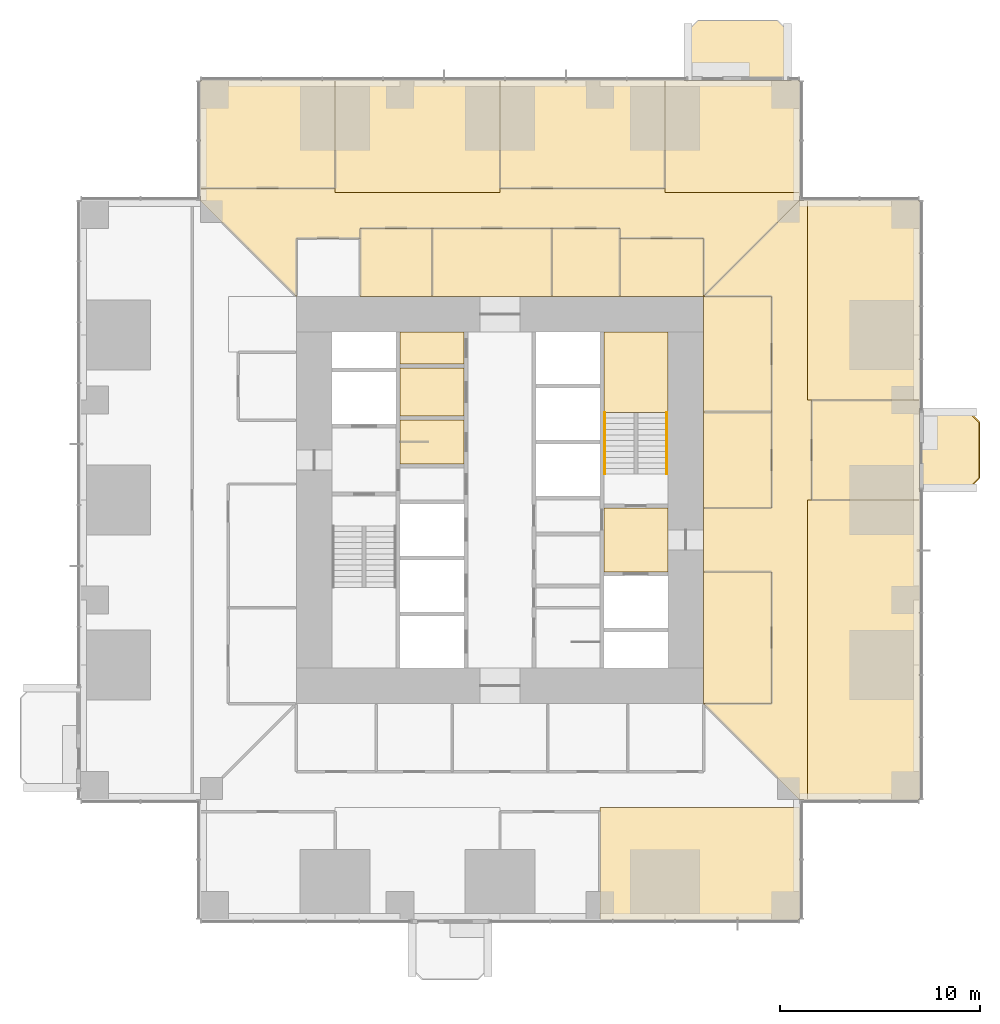
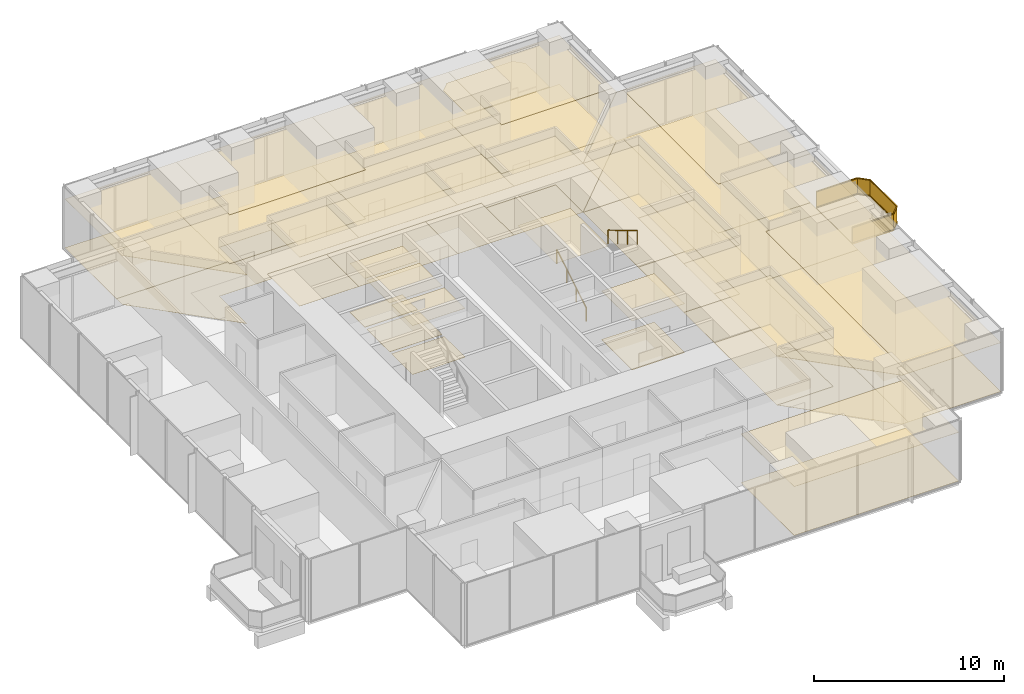
# One storey, part 16 of 18: 45 coverings, 3 railings.
"""IFC4 building model written with IfcOpenShell, lengths in metres."""

import ifcopenshell
import ifcopenshell.guid

model = None  # the IFC model being written
_history = None  # IfcOwnerHistory: only IFC2X3 demands one
_inside = {}  # id of a spatial element -> (the spatial element, [elements in it])
_under = {}  # id of a project, library or spatial element -> (it, [spatial elements below it])
_declared = {}  # id of a project -> (the project, [libraries it declares])
_typed = {}  # id of a type object -> (the type object, [elements of that type])
_made_of = {}  # id of a material, layer set ... -> (it, [elements and type objects made of it])


def new_model(schema):
    """Start an empty IFC model of exactly this schema.

    Asked for "IFC4X3", IfcOpenShell would pick the latest addendum, in which some entities
    have other attributes; the version numbers below select the first issue.
    IFC2X3 requires an IfcOwnerHistory on every rooted entity: one is made here for all.
    """
    global model, _history
    if schema == "IFC4X3":
        model = ifcopenshell.file(schema_version=(4, 3, 0, 0))
    else:
        model = ifcopenshell.file(schema=schema)
    _inside.clear()
    _under.clear()
    _declared.clear()
    _typed.clear()
    _made_of.clear()
    _history = None
    if model.schema == "IFC2X3":
        org = make("IfcOrganization", Name="unknown")
        user = make(
            "IfcPersonAndOrganization",
            ThePerson=make("IfcPerson", FamilyName="unknown"),
            TheOrganization=org,
        )
        app = make(
            "IfcApplication",
            ApplicationDeveloper=org,
            Version="unknown",
            ApplicationFullName="unknown",
            ApplicationIdentifier="unknown",
        )
        _history = make(
            "IfcOwnerHistory",
            OwningUser=user,
            OwningApplication=app,
            ChangeAction="ADDED",
            CreationDate=0,
        )
    return model


def make(cls, **values):
    """One entity of the class cls with the attributes given. An attribute that is None is left unset."""
    return model.create_entity(
        cls, **{name: value for name, value in values.items() if value is not None}
    )


def rooted(cls, **values):
    """An entity with a GlobalId (a new one), such as an element, a storey or a relation."""
    return make(cls, GlobalId=ifcopenshell.guid.new(), OwnerHistory=_history, **values)


def si_unit(unit_type, name, prefix=None):
    """IfcSIUnit, for example si_unit("LENGTHUNIT", "METRE", prefix="MILLI")."""
    return make("IfcSIUnit", UnitType=unit_type, Prefix=prefix, Name=name)


def assignment(units):
    """IfcUnitAssignment: the units of a project."""
    return None if units is None else make("IfcUnitAssignment", Units=units)


def point(xyz):
    """IfcCartesianPoint."""
    return None if xyz is None else make("IfcCartesianPoint", Coordinates=xyz)


def direction(xyz):
    """IfcDirection."""
    return None if xyz is None else make("IfcDirection", DirectionRatios=xyz)


def frame(location, z_axis=None, x_axis=None):
    """IfcAxis2Placement3D, a coordinate frame: its origin and axes. An axis left out is left unset."""
    return make(
        "IfcAxis2Placement3D",
        Location=point(location),
        Axis=direction(z_axis),
        RefDirection=direction(x_axis),
    )


def frame_2d(location, x_axis=None):
    """IfcAxis2Placement2D, a coordinate frame in the plane: its origin and x axis."""
    return make(
        "IfcAxis2Placement2D", Location=point(location), RefDirection=direction(x_axis)
    )


def origin():
    """The frame at (0, 0, 0) with its axes left unset."""
    return frame((0.0, 0.0, 0.0))


def origin_2d():
    """The frame at (0, 0) in the plane with its x axis left unset."""
    return frame_2d((0.0, 0.0))


def place(relative_to, where):
    """IfcLocalPlacement: puts the frame where relative to a parent placement (None: the world)."""
    return make(
        "IfcLocalPlacement", PlacementRelTo=relative_to, RelativePlacement=where
    )


def context(
    kind, dimensions, precision=None, world=None, true_north=None, identifier=None
):
    """IfcGeometricRepresentationContext, for example the 3D "Model" context."""
    return make(
        "IfcGeometricRepresentationContext",
        ContextIdentifier=identifier,
        ContextType=kind,
        CoordinateSpaceDimension=dimensions,
        Precision=precision,
        WorldCoordinateSystem=world,
        TrueNorth=true_north,
    )


def subcontext(parent, identifier, kind, view, scale=None):
    """IfcGeometricRepresentationSubContext, for example "Body" below "Model"."""
    return make(
        "IfcGeometricRepresentationSubContext",
        ContextIdentifier=identifier,
        ContextType=kind,
        ParentContext=parent,
        TargetScale=scale,
        TargetView=view,
    )


def project(units=None, contexts=None):
    """IfcProject with its units and contexts."""
    return rooted(
        "IfcProject",
        Name="project",
        RepresentationContexts=contexts,
        UnitsInContext=assignment(units),
    )


def spatial(cls, under=None, at=None, **own):
    """A site, building, storey or space (cls), placed at a placement, below another one or the project."""
    s = rooted(cls, ObjectPlacement=at, **own)
    if under is not None:
        _under.setdefault(under.id(), (under, []))[1].append(s)
    return s


def polyline(points):
    """IfcPolyline through the points."""
    return make("IfcPolyline", Points=[point(p) for p in points])


def profile(cls, at=None, kind="AREA", **sizes):
    """A parametric profile (cls). Its sizes go by their IFC names, for example OverallWidth=200.0."""
    return make(cls, ProfileType=kind, Position=at, **sizes)


def rectangle(**sizes):
    """IfcRectangleProfileDef."""
    return profile("IfcRectangleProfileDef", **sizes)


def circle(**sizes):
    """IfcCircleProfileDef."""
    return profile("IfcCircleProfileDef", **sizes)


def outline(outer, holes=None, kind="AREA"):
    """IfcArbitraryClosedProfileDef: a profile drawn as a closed curve; with holes, ...WithVoids."""
    if holes is None:
        return make("IfcArbitraryClosedProfileDef", ProfileType=kind, OuterCurve=outer)
    return make(
        "IfcArbitraryProfileDefWithVoids",
        ProfileType=kind,
        OuterCurve=outer,
        InnerCurves=holes,
    )


def extrude(swept, where, along, depth):
    """IfcExtrudedAreaSolid: the profile swept, set in the frame where, extruded along a direction by depth."""
    return make(
        "IfcExtrudedAreaSolid",
        SweptArea=swept,
        Position=where,
        ExtrudedDirection=direction(along),
        Depth=depth,
    )


def shape(context_of_items, identifier, shape_type, items):
    """IfcShapeRepresentation: the items that make up one representation, for example the "Body"."""
    return make(
        "IfcShapeRepresentation",
        ContextOfItems=context_of_items,
        RepresentationIdentifier=identifier,
        RepresentationType=shape_type,
        Items=items,
    )


def material(Name=None, Category=None):
    """IfcMaterial."""
    return make("IfcMaterial", Name=Name, Category=Category)


def layer(
    of_material, thickness, ventilated=None, Name=None, Category=None, Priority=None
):
    """IfcMaterialLayer: one layer of a wall or slab, of a material (None: an air gap)."""
    return make(
        "IfcMaterialLayer",
        Material=of_material,
        LayerThickness=thickness,
        IsVentilated=ventilated,
        Name=Name,
        Category=Category,
        Priority=Priority,
    )


def layer_set(layers, Name=None):
    """IfcMaterialLayerSet."""
    return make("IfcMaterialLayerSet", MaterialLayers=layers, LayerSetName=Name)


def made_of(thing, what):
    """Note that an element or type object is made of a material, layer set ...; save() writes the relation."""
    if what is not None:
        _made_of.setdefault(what.id(), (what, []))[1].append(thing)
    return thing


def type_object(cls, material=None, **own):
    """A type object (cls), such as IfcWallType, which elements share."""
    return made_of(rooted(cls, **own), material)


def element(
    cls,
    number,
    at=None,
    inside=None,
    cuts=None,
    type_object=None,
    material=None,
    context=None,
    identifier="Body",
    shape_type=None,
    held_by="IfcProductDefinitionShape",
    body=None,
    shapes=None,
    **own,
):
    """One element of the class cls, such as IfcWall. Its Tag is "e" and its number.

    at: its placement. inside: the storey or other place that contains it. cuts: it is an
    opening in that element (IfcRelVoidsElement). A single representation is given by context,
    identifier, shape_type and body (its items); several are given by shapes. held_by: the class
    of the entity that holds the representations. save() writes the other relations.
    """
    e = rooted(cls, Tag="e%d" % number, ObjectPlacement=at, **own)
    if body is not None:
        shapes = [shape(context, identifier, shape_type, body)]
    if shapes is not None:
        e.Representation = make(held_by, Representations=shapes)
    if inside is not None:
        _inside.setdefault(inside.id(), (inside, []))[1].append(e)
    if cuts is not None:
        rooted(
            "IfcRelVoidsElement", RelatingBuildingElement=cuts, RelatedOpeningElement=e
        )
    if type_object is not None:
        _typed.setdefault(type_object.id(), (type_object, []))[1].append(e)
    return made_of(e, material)


def aggregate(whole, parts):
    """IfcRelAggregates: a whole, such as a stair, and the parts it consists of."""
    return rooted("IfcRelAggregates", RelatingObject=whole, RelatedObjects=parts)


def save(model, path):
    """Write the relations noted so far, then the file.

    IfcRelAggregates (storeys below a building ...), IfcRelContainedInSpatialStructure (elements
    in a storey), IfcRelDefinesByType, IfcRelAssociatesMaterial and IfcRelDeclares: one each for
    every whole, place, type object, material and project.
    """
    for whole, parts in _under.values():
        aggregate(whole, parts)
    for where, things in _inside.values():
        rooted(
            "IfcRelContainedInSpatialStructure",
            RelatedElements=things,
            RelatingStructure=where,
        )
    for kind, things in _typed.values():
        rooted("IfcRelDefinesByType", RelatedObjects=things, RelatingType=kind)
    for what, things in _made_of.values():
        rooted("IfcRelAssociatesMaterial", RelatedObjects=things, RelatingMaterial=what)
    for by, libraries in _declared.values():
        rooted("IfcRelDeclares", RelatingContext=by, RelatedDefinitions=libraries)
    model.write(path)


model = new_model("IFC4")

# Units and contexts
model_context = context("Model", 3, precision=1e-05, world=origin(), true_north=direction((0.0, 1.0)))
body_context = subcontext(model_context, "Body", "Model", "MODEL_VIEW")
ifc_project = project(units=[si_unit("LENGTHUNIT", "METRE"), si_unit("AREAUNIT", "SQUARE_METRE"), si_unit("VOLUMEUNIT", "CUBIC_METRE"), si_unit("PLANEANGLEUNIT", "RADIAN"), si_unit("MASSUNIT", "GRAM", prefix="KILO")], contexts=[model_context])

# Site, building, storey
site_placement = place(None, origin())
site = spatial("IfcSite", under=ifc_project, at=site_placement, CompositionType="ELEMENT")
building_placement = place(site_placement, origin())
building = spatial("IfcBuilding", under=site, at=building_placement, Name="Svetlomir Tower", CompositionType="ELEMENT")
storey_placement = place(building_placement, frame((0.0, 0.0, 46.5)))
storey = spatial("IfcBuildingStorey", under=building, at=storey_placement, Name="L10", CompositionType="ELEMENT", Elevation=46.5)

# Railing
ifc_material_1 = material(Name="Bronze anodised aluminium and laminated glass", Category="aluminium")
railing_type_1 = type_object("IfcRailingType", Name="BALCONY GUARD GR1 1100", PredefinedType="GUARDRAIL", material=ifc_material_1)
railing_1_placement = place(storey_placement, frame((42.0, 21.60009765625, 0.0)))
element("IfcRailing", 1, at=railing_1_placement, inside=storey, type_object=railing_type_1, Name="Balcony guard E L10", PredefinedType="GUARDRAIL", context=body_context, shape_type="SweptSolid", body=[
    extrude(rectangle(XDim=0.06005859375, YDim=0.10009765625, at=origin_2d()), frame((0.0, 0.0, 0.050048828125), z_axis=(1.0, 0.0, 0.0), x_axis=(0.0, 1.0, 0.0)), (0.0, 0.0, 1.0), 2.5),
    extrude(rectangle(XDim=0.021484375, YDim=0.960205078125, at=origin_2d()), frame((0.0, 0.0, 0.580078125), z_axis=(1.0, 0.0, 0.0), x_axis=(0.0, 1.0, 0.0)), (0.0, 0.0, 1.0), 2.5),
    extrude(rectangle(XDim=0.06005859375, YDim=0.0400390625, at=origin_2d()), frame((0.0, 0.0, 1.080078125), z_axis=(1.0, 0.0, 0.0), x_axis=(0.0, 1.0, 0.0)), (0.0, 0.0, 1.0), 2.5),
    extrude(rectangle(XDim=0.06005859375, YDim=0.10009765625, at=origin_2d()), frame((2.5, 0.0, 0.050048828125), z_axis=(0.707106781187, 0.707106781187, 0.0), x_axis=(-0.707106781187, 0.707106781187, 0.0)), (0.0, 0.0, 1.0), 0.70703125),
    extrude(rectangle(XDim=0.021484375, YDim=0.960205078125, at=origin_2d()), frame((2.5, 0.0, 0.580078125), z_axis=(0.707106781187, 0.707106781187, 0.0), x_axis=(-0.707106781187, 0.707106781187, 0.0)), (0.0, 0.0, 1.0), 0.70703125),
    extrude(rectangle(XDim=0.06005859375, YDim=0.0400390625, at=origin_2d()), frame((2.5, 0.0, 1.080078125), z_axis=(0.707106781187, 0.707106781187, 0.0), x_axis=(-0.707106781187, 0.707106781187, 0.0)), (0.0, 0.0, 1.0), 0.70703125),
    extrude(rectangle(XDim=0.06005859375, YDim=0.10009765625, at=origin_2d()), frame((3.0, 0.5, 0.050048828125), z_axis=(0.0, 1.0, 0.0), x_axis=(-1.0, 0.0, 0.0)), (0.0, 0.0, 1.0), 2.7998046875),
    extrude(rectangle(XDim=0.021484375, YDim=0.960205078125, at=origin_2d()), frame((3.0, 0.5, 0.580078125), z_axis=(0.0, 1.0, 0.0), x_axis=(-1.0, 0.0, 0.0)), (0.0, 0.0, 1.0), 2.7998046875),
    extrude(rectangle(XDim=0.06005859375, YDim=0.0400390625, at=origin_2d()), frame((3.0, 0.5, 1.080078125), z_axis=(0.0, 1.0, 0.0), x_axis=(-1.0, 0.0, 0.0)), (0.0, 0.0, 1.0), 2.7998046875),
    extrude(rectangle(XDim=0.06005859375, YDim=0.10009765625, at=origin_2d()), frame((3.0, 3.2998046875, 0.050048828125), z_axis=(-0.707106781187, 0.707106781187, 0.0), x_axis=(-0.707106781187, -0.707106781187, 0.0)), (0.0, 0.0, 1.0), 0.70703125),
    extrude(rectangle(XDim=0.021484375, YDim=0.960205078125, at=origin_2d()), frame((3.0, 3.2998046875, 0.580078125), z_axis=(-0.707106781187, 0.707106781187, 0.0), x_axis=(-0.707106781187, -0.707106781187, 0.0)), (0.0, 0.0, 1.0), 0.70703125),
    extrude(rectangle(XDim=0.06005859375, YDim=0.0400390625, at=origin_2d()), frame((3.0, 3.2998046875, 1.080078125), z_axis=(-0.707106781187, 0.707106781187, 0.0), x_axis=(-0.707106781187, -0.707106781187, 0.0)), (0.0, 0.0, 1.0), 0.70703125),
    extrude(rectangle(XDim=0.06005859375, YDim=0.10009765625, at=origin_2d()), frame((2.5, 3.7998046875, 0.050048828125), z_axis=(-1.0, 0.0, 0.0), x_axis=(0.0, -1.0, 0.0)), (0.0, 0.0, 1.0), 2.5),
    extrude(rectangle(XDim=0.021484375, YDim=0.960205078125, at=origin_2d()), frame((2.5, 3.7998046875, 0.580078125), z_axis=(-1.0, 0.0, 0.0), x_axis=(0.0, -1.0, 0.0)), (0.0, 0.0, 1.0), 2.5),
    extrude(rectangle(XDim=0.06005859375, YDim=0.0400390625, at=origin_2d()), frame((2.5, 3.7998046875, 1.080078125), z_axis=(-1.0, 0.0, 0.0), x_axis=(0.0, -1.0, 0.0)), (0.0, 0.0, 1.0), 2.5),
])

# Coverings
ifc_material_2 = material(Name="Granite paving slabs on pedestals", Category="masonry")
ifc_layer_1 = layer(ifc_material_2, 0.0400390625)
ifc_layer_set_1 = layer_set([ifc_layer_1], Name="Granite paving slabs on pedestals")
covering_type_1 = type_object("IfcCoveringType", Name="BALCONY PAVING 40", PredefinedType="USERDEFINED", material=ifc_layer_set_1)
covering_1_placement = place(storey_placement, origin())
element("IfcCovering", 2, at=covering_1_placement, inside=storey, type_object=covering_type_1, Name="Balcony paving E L10", ObjectType="BALCONY PAVING", PredefinedType="USERDEFINED", context=body_context, shape_type="SweptSolid", body=[
    extrude(outline(polyline([(42.0, 21.60009765625), (44.5, 21.60009765625), (45.0, 22.10009765625), (45.0, 24.89990234375), (44.5, 25.39990234375), (42.0, 25.39990234375), (42.0, 21.60009765625)])), origin(), (0.0, 0.0, 1.0), 0.0400390625),
])
covering_2_placement = place(storey_placement, origin())
element("IfcCovering", 3, at=covering_2_placement, inside=storey, type_object=covering_type_1, Name="Balcony paving N L10", ObjectType="BALCONY PAVING", PredefinedType="USERDEFINED", context=body_context, shape_type="SweptSolid", body=[
    extrude(outline(polyline([(30.39990234375, 42.0), (35.39990234375, 42.0), (35.39990234375, 44.5), (34.89990234375, 45.0), (30.89990234375, 45.0), (30.39990234375, 44.5), (30.39990234375, 42.0)])), origin(), (0.0, 0.0, 1.0), 0.0400390625),
])
ifc_material_3 = material(Name="Carpet tile", Category="textile")
ifc_layer_2 = layer(ifc_material_3, 0.010009765625)
ifc_layer_set_2 = layer_set([ifc_layer_2], Name="Carpet tile")
covering_type_2 = type_object("IfcCoveringType", Name="CARPET TILE FLOOR 10", PredefinedType="FLOORING", material=ifc_layer_set_2)
covering_3_placement = place(storey_placement, origin())
element("IfcCovering", 4, at=covering_3_placement, inside=storey, type_object=covering_type_2, Name="Floor finish L10-19", PredefinedType="FLOORING", context=body_context, shape_type="SweptSolid", body=[
    extrude(outline(polyline([(31.199951171875, 10.800048828125), (34.60009765625, 10.800048828125), (34.60009765625, 17.39990234375), (31.199951171875, 17.39990234375), (31.199951171875, 10.800048828125)])), origin(), (0.0, 0.0, 1.0), 0.010009765625),
])
covering_4_placement = place(storey_placement, origin())
element("IfcCovering", 5, at=covering_4_placement, inside=storey, type_object=covering_type_2, Name="Floor finish L10-20", PredefinedType="FLOORING", context=body_context, shape_type="SweptSolid", body=[
    extrude(outline(polyline([(31.199951171875, 20.60009765625), (34.60009765625, 20.60009765625), (34.60009765625, 25.39990234375), (31.199951171875, 25.39990234375), (31.199951171875, 20.60009765625)])), origin(), (0.0, 0.0, 1.0), 0.010009765625),
])
covering_5_placement = place(storey_placement, origin())
element("IfcCovering", 6, at=covering_5_placement, inside=storey, type_object=covering_type_2, Name="Floor finish L10-21", PredefinedType="FLOORING", context=body_context, shape_type="SweptSolid", body=[
    extrude(outline(polyline([(31.199951171875, 25.39990234375), (34.60009765625, 25.39990234375), (34.60009765625, 31.199951171875), (31.199951171875, 31.199951171875), (31.199951171875, 25.39990234375)])), origin(), (0.0, 0.0, 1.0), 0.010009765625),
])
covering_6_placement = place(storey_placement, origin())
element("IfcCovering", 7, at=covering_6_placement, inside=storey, type_object=covering_type_2, Name="Floor finish L10-22", PredefinedType="FLOORING", context=body_context, shape_type="SweptSolid", body=[
    extrude(outline(polyline([(36.60009765625, 21.0), (42.0, 21.0), (42.0, 26.0), (36.60009765625, 26.0), (36.60009765625, 21.0)])), origin(), (0.0, 0.0, 1.0), 0.010009765625),
])
covering_7_placement = place(storey_placement, origin())
element("IfcCovering", 8, at=covering_7_placement, inside=storey, type_object=covering_type_2, Name="Floor finish L10-24", PredefinedType="FLOORING", context=body_context, shape_type="SweptSolid", body=[
    extrude(outline(polyline([(14.0, 31.199951171875), (17.60009765625, 31.199951171875), (17.60009765625, 34.60009765625), (14.0, 34.60009765625), (14.0, 31.199951171875)])), origin(), (0.0, 0.0, 1.0), 0.010009765625),
])
covering_8_placement = place(storey_placement, origin())
element("IfcCovering", 9, at=covering_8_placement, inside=storey, type_object=covering_type_2, Name="Floor finish L10-25", PredefinedType="FLOORING", context=body_context, shape_type="SweptSolid", body=[
    extrude(outline(polyline([(23.60009765625, 31.199951171875), (27.0, 31.199951171875), (27.0, 34.60009765625), (23.60009765625, 34.60009765625), (23.60009765625, 31.199951171875)])), origin(), (0.0, 0.0, 1.0), 0.010009765625),
])
covering_9_placement = place(storey_placement, origin())
element("IfcCovering", 10, at=covering_9_placement, inside=storey, type_object=covering_type_2, Name="Floor finish L10-26", PredefinedType="FLOORING", context=body_context, shape_type="SweptSolid", body=[
    extrude(outline(polyline([(27.0, 31.199951171875), (31.199951171875, 31.199951171875), (31.199951171875, 34.10009765625), (27.0, 34.10009765625), (27.0, 31.199951171875)])), origin(), (0.0, 0.0, 1.0), 0.010009765625),
])
covering_10_placement = place(storey_placement, origin())
element("IfcCovering", 11, at=covering_10_placement, inside=storey, type_object=covering_type_2, Name="Floor finish L10-27", PredefinedType="FLOORING", context=body_context, shape_type="SweptSolid", body=[
    extrude(outline(polyline([(6.0, 36.60009765625), (12.75, 36.60009765625), (12.75, 42.0), (6.0, 42.0), (6.0, 36.60009765625)])), origin(), (0.0, 0.0, 1.0), 0.010009765625),
])
covering_11_placement = place(storey_placement, origin())
element("IfcCovering", 12, at=covering_11_placement, inside=storey, type_object=covering_type_2, Name="Floor finish L10-28", PredefinedType="FLOORING", context=body_context, shape_type="SweptSolid", body=[
    extrude(outline(polyline([(21.0, 36.60009765625), (29.25, 36.60009765625), (29.25, 42.0), (21.0, 42.0), (21.0, 36.60009765625)])), origin(), (0.0, 0.0, 1.0), 0.010009765625),
])
covering_12_placement = place(storey_placement, origin())
element("IfcCovering", 13, at=covering_12_placement, inside=storey, type_object=covering_type_2, Name="Floor finish L10-32", PredefinedType="FLOORING", context=body_context, shape_type="SweptSolid", body=[
    extrude(outline(polyline([(31.199951171875, 10.800048828125), (34.60009765625, 10.800048828125), (34.60009765625, 17.39990234375), (31.199951171875, 17.39990234375), (31.199951171875, 20.60009765625), (34.60009765625, 20.60009765625), (34.60009765625, 31.199951171875), (31.199951171875, 31.199951171875), (36.0, 36.0), (36.39990234375, 36.0), (36.39990234375, 26.0), (36.60009765625, 26.0), (36.60009765625, 21.0), (36.39990234375, 21.0), (36.39990234375, 6.0), (36.0, 6.0), (31.199951171875, 10.800048828125)])), origin(), (0.0, 0.0, 1.0), 0.010009765625),
])
covering_13_placement = place(storey_placement, origin())
element("IfcCovering", 14, at=covering_13_placement, inside=storey, type_object=covering_type_2, Name="Floor finish L10-33", PredefinedType="FLOORING", context=body_context, shape_type="SweptSolid", body=[
    extrude(outline(polyline([(6.0, 36.60009765625), (12.75, 36.60009765625), (12.75, 36.39990234375), (21.0, 36.39990234375), (21.0, 36.60009765625), (29.25, 36.60009765625), (29.25, 36.39990234375), (36.0, 36.39990234375), (36.0, 36.0), (31.199951171875, 31.199951171875), (31.199951171875, 34.10009765625), (27.0, 34.10009765625), (27.0, 34.60009765625), (14.0, 34.60009765625), (14.0, 34.10009765625), (10.800048828125, 34.10009765625), (10.800048828125, 31.199951171875), (6.0, 36.0), (6.0, 36.60009765625)])), origin(), (0.0, 0.0, 1.0), 0.010009765625),
])
covering_14_placement = place(storey_placement, origin())
element("IfcCovering", 15, at=covering_14_placement, inside=storey, type_object=covering_type_2, Name="Floor finish L10-36", PredefinedType="FLOORING", context=body_context, shape_type="SweptSolid", body=[
    extrude(outline(polyline([(26.0, 0.0), (26.0, 5.60009765625), (36.0, 5.60009765625), (36.0, 0.0), (26.0, 0.0)])), origin(), (0.0, 0.0, 1.0), 0.010009765625),
])
covering_15_placement = place(storey_placement, origin())
element("IfcCovering", 16, at=covering_15_placement, inside=storey, type_object=covering_type_2, Name="Floor finish L10-39", PredefinedType="FLOORING", context=body_context, shape_type="SweptSolid", body=[
    extrude(outline(polyline([(42.0, 26.0), (36.39990234375, 26.0), (36.39990234375, 36.0), (42.0, 36.0), (42.0, 26.0)])), origin(), (0.0, 0.0, 1.0), 0.010009765625),
])
covering_16_placement = place(storey_placement, origin())
element("IfcCovering", 17, at=covering_16_placement, inside=storey, type_object=covering_type_2, Name="Floor finish L10-40", PredefinedType="FLOORING", context=body_context, shape_type="SweptSolid", body=[
    extrude(outline(polyline([(42.0, 6.0), (36.39990234375, 6.0), (36.39990234375, 21.0), (42.0, 21.0), (42.0, 6.0)])), origin(), (0.0, 0.0, 1.0), 0.010009765625),
])
covering_17_placement = place(storey_placement, origin())
element("IfcCovering", 18, at=covering_17_placement, inside=storey, type_object=covering_type_2, Name="Floor finish L10-41", PredefinedType="FLOORING", context=body_context, shape_type="SweptSolid", body=[
    extrude(outline(polyline([(21.0, 42.0), (21.0, 36.39990234375), (12.75, 36.39990234375), (12.75, 42.0), (21.0, 42.0)])), origin(), (0.0, 0.0, 1.0), 0.010009765625),
])
covering_18_placement = place(storey_placement, origin())
element("IfcCovering", 19, at=covering_18_placement, inside=storey, type_object=covering_type_2, Name="Floor finish L10-42", PredefinedType="FLOORING", context=body_context, shape_type="SweptSolid", body=[
    extrude(outline(polyline([(36.0, 42.0), (36.0, 36.39990234375), (29.25, 36.39990234375), (29.25, 42.0), (36.0, 42.0)])), origin(), (0.0, 0.0, 1.0), 0.010009765625),
])
covering_19_placement = place(storey_placement, origin())
element("IfcCovering", 20, at=covering_19_placement, inside=storey, type_object=covering_type_2, Name="Floor finish L10-43", PredefinedType="FLOORING", context=body_context, shape_type="SweptSolid", body=[
    extrude(outline(polyline([(17.60009765625, 31.199951171875), (17.60009765625, 34.60009765625), (23.60009765625, 34.60009765625), (23.60009765625, 31.199951171875), (17.60009765625, 31.199951171875)])), origin(), (0.0, 0.0, 1.0), 0.010009765625),
])
ifc_material_4 = material(Name="Ceramic floor tile", Category="ceramic")
ifc_layer_3 = layer(ifc_material_4, 0.014892578125)
ifc_layer_set_3 = layer_set([ifc_layer_3], Name="Ceramic floor tile")
covering_type_3 = type_object("IfcCoveringType", Name="CERAMIC TILE FLOOR 15", PredefinedType="FLOORING", material=ifc_layer_set_3)
covering_20_placement = place(storey_placement, origin())
element("IfcCovering", 21, at=covering_20_placement, inside=storey, type_object=covering_type_3, Name="Floor finish L10-04", PredefinedType="FLOORING", context=body_context, shape_type="SweptSolid", body=[
    extrude(outline(polyline([(16.0, 22.800048828125), (19.199951171875, 22.800048828125), (19.199951171875, 25.0), (16.0, 25.0), (16.0, 22.800048828125)])), origin(), (0.0, 0.0, 1.0), 0.014892578125),
])
covering_21_placement = place(storey_placement, origin())
element("IfcCovering", 22, at=covering_21_placement, inside=storey, type_object=covering_type_3, Name="Floor finish L10-05", PredefinedType="FLOORING", context=body_context, shape_type="SweptSolid", body=[
    extrude(outline(polyline([(16.0, 25.199951171875), (19.199951171875, 25.199951171875), (19.199951171875, 27.60009765625), (16.0, 27.60009765625), (16.0, 25.199951171875)])), origin(), (0.0, 0.0, 1.0), 0.014892578125),
])

# Railings
ifc_material_5 = material(Name="Stainless steel", Category="steel")
railing_type_2 = type_object("IfcRailingType", Name="HANDRAIL HR1 900", PredefinedType="HANDRAIL", material=ifc_material_5)
railing_2_placement = place(storey_placement, frame((26.25, 22.300048828125, 0.166748046875)))
element("IfcRailing", 23, at=railing_2_placement, inside=storey, type_object=railing_type_2, Name="Handrail S2 flight 1 L10", PredefinedType="HANDRAIL", context=body_context, shape_type="SweptSolid", body=[
    extrude(circle(Radius=0.02392578125, at=origin_2d()), frame((0.0, 0.0, 0.8759765625), z_axis=(0.0, 0.859290745958, 0.51148745235), x_axis=(-1.0, 0.0, 0.0)), (0.0, 0.0, 1.0), 3.584228515625),
    extrude(circle(Radius=0.02099609375, at=origin_2d()), origin(), (0.0, 0.0, 1.0), 0.851806640625),
    extrude(circle(Radius=0.02099609375, at=origin_2d()), frame((0.0, 1.026611328125, 0.611083984375)), (0.0, 0.0, 1.0), 0.851806640625),
    extrude(circle(Radius=0.02099609375, at=origin_2d()), frame((0.0, 2.05322265625, 1.22216796875)), (0.0, 0.0, 1.0), 0.851806640625),
    extrude(circle(Radius=0.02099609375, at=origin_2d()), frame((0.0, 3.079833984375, 1.833251953125)), (0.0, 0.0, 1.0), 0.851806640625),
])
railing_3_placement = place(storey_placement, frame((29.35009765625, 25.3798828125, 2.166748046875)))
element("IfcRailing", 24, at=railing_3_placement, inside=storey, type_object=railing_type_2, Name="Handrail S2 flight 2 L10", PredefinedType="HANDRAIL", context=body_context, shape_type="SweptSolid", body=[
    extrude(circle(Radius=0.02392578125, at=origin_2d()), frame((0.0, 0.0, 0.8759765625), z_axis=(0.0, -0.859290745958, 0.51148745235), x_axis=(1.0, 0.0, 0.0)), (0.0, 0.0, 1.0), 3.584228515625),
    extrude(circle(Radius=0.02099609375, at=origin_2d()), origin(), (0.0, 0.0, 1.0), 0.851806640625),
    extrude(circle(Radius=0.02099609375, at=origin_2d()), frame((0.0, -1.026611328125, 0.611083984375)), (0.0, 0.0, 1.0), 0.851806640625),
    extrude(circle(Radius=0.02099609375, at=origin_2d()), frame((0.0, -2.05322265625, 1.22216796875)), (0.0, 0.0, 1.0), 0.851806640625),
    extrude(circle(Radius=0.02099609375, at=origin_2d()), frame((0.0, -3.079833984375, 1.833251953125)), (0.0, 0.0, 1.0), 0.851806640625),
])

# Coverings
ifc_material_6 = material(Name="Moisture resistant plasterboard ceiling", Category="gypsum")
ifc_layer_4 = layer(ifc_material_6, 0.012451171875)
ifc_layer_set_4 = layer_set([ifc_layer_4], Name="Moisture resistant plasterboard ceiling")
covering_type_4 = type_object("IfcCoveringType", Name="MOISTURE RESISTANT CEILING 12.5", PredefinedType="CEILING", material=ifc_layer_set_4)
covering_22_placement = place(storey_placement, frame((0.0, 0.0, 3.137451171875)))
element("IfcCovering", 25, at=covering_22_placement, inside=storey, type_object=covering_type_4, Name="Ceiling L10-04", PredefinedType="CEILING", context=body_context, shape_type="SweptSolid", body=[
    extrude(outline(polyline([(16.0, 22.800048828125), (19.199951171875, 22.800048828125), (19.199951171875, 25.0), (16.0, 25.0), (16.0, 22.800048828125)])), origin(), (0.0, 0.0, 1.0), 0.012451171875),
])
covering_23_placement = place(storey_placement, frame((0.0, 0.0, 3.137451171875)))
element("IfcCovering", 26, at=covering_23_placement, inside=storey, type_object=covering_type_4, Name="Ceiling L10-05", PredefinedType="CEILING", context=body_context, shape_type="SweptSolid", body=[
    extrude(outline(polyline([(16.0, 25.199951171875), (19.199951171875, 25.199951171875), (19.199951171875, 27.60009765625), (16.0, 27.60009765625), (16.0, 25.199951171875)])), origin(), (0.0, 0.0, 1.0), 0.012451171875),
])
ifc_material_7 = material(Name="Gypsum plasterboard ceiling", Category="gypsum")
ifc_layer_5 = layer(ifc_material_7, 0.014892578125)
ifc_layer_set_5 = layer_set([ifc_layer_5], Name="Gypsum plasterboard ceiling")
covering_type_5 = type_object("IfcCoveringType", Name="PLASTERBOARD CEILING 15", PredefinedType="CEILING", material=ifc_layer_set_5)
covering_24_placement = place(storey_placement, frame((0.0, 0.0, 3.135009765625)))
element("IfcCovering", 27, at=covering_24_placement, inside=storey, type_object=covering_type_5, Name="Ceiling L10-06", PredefinedType="CEILING", context=body_context, shape_type="SweptSolid", body=[
    extrude(outline(polyline([(16.0, 27.800048828125), (19.199951171875, 27.800048828125), (19.199951171875, 29.39990234375), (16.0, 29.39990234375), (16.0, 27.800048828125)])), origin(), (0.0, 0.0, 1.0), 0.014892578125),
])
covering_25_placement = place(storey_placement, frame((0.0, 0.0, 3.135009765625)))
element("IfcCovering", 28, at=covering_25_placement, inside=storey, type_object=covering_type_5, Name="Ceiling L10-12", PredefinedType="CEILING", context=body_context, shape_type="SweptSolid", body=[
    extrude(outline(polyline([(26.199951171875, 17.39990234375), (29.39990234375, 17.39990234375), (29.39990234375, 20.60009765625), (26.199951171875, 20.60009765625), (26.199951171875, 17.39990234375)])), origin(), (0.0, 0.0, 1.0), 0.014892578125),
])
ifc_material_8 = material(Name="Studded rubber floor finish", Category="rubber")
ifc_layer_6 = layer(ifc_material_8, 0.006103515625)
ifc_layer_set_6 = layer_set([ifc_layer_6], Name="Studded rubber floor finish")
covering_type_6 = type_object("IfcCoveringType", Name="RUBBER LANDING FINISH 6", PredefinedType="FLOORING", material=ifc_layer_set_6)
covering_26_placement = place(storey_placement, frame((0.0, 0.0, 2.0)))
element("IfcCovering", 29, at=covering_26_placement, inside=storey, type_object=covering_type_6, Name="Stair S2 landing finish L10", PredefinedType="FLOORING", context=body_context, shape_type="SweptSolid", body=[
    extrude(outline(polyline([(26.199951171875, 25.3798828125), (29.39990234375, 25.3798828125), (29.39990234375, 29.39990234375), (26.199951171875, 29.39990234375), (26.199951171875, 25.3798828125)])), origin(), (0.0, 0.0, 1.0), 0.006103515625),
])
ifc_material_9 = material(Name="Mineral fibre ceiling tile", Category="mineral")
ifc_layer_7 = layer(ifc_material_9, 0.02001953125)
ifc_layer_set_7 = layer_set([ifc_layer_7], Name="Mineral fibre ceiling tile")
covering_type_7 = type_object("IfcCoveringType", Name="SUSPENDED CEILING 20", PredefinedType="CEILING", material=ifc_layer_set_7)
covering_27_placement = place(storey_placement, frame((0.0, 0.0, 3.1298828125)))
element("IfcCovering", 30, at=covering_27_placement, inside=storey, type_object=covering_type_7, Name="Ceiling L10-19", PredefinedType="CEILING", context=body_context, shape_type="SweptSolid", body=[
    extrude(outline(polyline([(31.199951171875, 10.800048828125), (34.60009765625, 10.800048828125), (34.60009765625, 17.39990234375), (31.199951171875, 17.39990234375), (31.199951171875, 10.800048828125)])), origin(), (0.0, 0.0, 1.0), 0.02001953125),
])
covering_28_placement = place(storey_placement, frame((0.0, 0.0, 3.1298828125)))
element("IfcCovering", 31, at=covering_28_placement, inside=storey, type_object=covering_type_7, Name="Ceiling L10-20", PredefinedType="CEILING", context=body_context, shape_type="SweptSolid", body=[
    extrude(outline(polyline([(31.199951171875, 20.60009765625), (34.60009765625, 20.60009765625), (34.60009765625, 25.39990234375), (31.199951171875, 25.39990234375), (31.199951171875, 20.60009765625)])), origin(), (0.0, 0.0, 1.0), 0.02001953125),
])
covering_29_placement = place(storey_placement, frame((0.0, 0.0, 3.1298828125)))
element("IfcCovering", 32, at=covering_29_placement, inside=storey, type_object=covering_type_7, Name="Ceiling L10-21", PredefinedType="CEILING", context=body_context, shape_type="SweptSolid", body=[
    extrude(outline(polyline([(31.199951171875, 25.39990234375), (34.60009765625, 25.39990234375), (34.60009765625, 31.199951171875), (31.199951171875, 31.199951171875), (31.199951171875, 25.39990234375)])), origin(), (0.0, 0.0, 1.0), 0.02001953125),
])
covering_30_placement = place(storey_placement, frame((0.0, 0.0, 3.1298828125)))
element("IfcCovering", 33, at=covering_30_placement, inside=storey, type_object=covering_type_7, Name="Ceiling L10-22", PredefinedType="CEILING", context=body_context, shape_type="SweptSolid", body=[
    extrude(outline(polyline([(36.60009765625, 21.0), (42.0, 21.0), (42.0, 26.0), (36.60009765625, 26.0), (36.60009765625, 21.0)])), origin(), (0.0, 0.0, 1.0), 0.02001953125),
])
covering_31_placement = place(storey_placement, frame((0.0, 0.0, 3.1298828125)))
element("IfcCovering", 34, at=covering_31_placement, inside=storey, type_object=covering_type_7, Name="Ceiling L10-24", PredefinedType="CEILING", context=body_context, shape_type="SweptSolid", body=[
    extrude(outline(polyline([(14.0, 31.199951171875), (17.60009765625, 31.199951171875), (17.60009765625, 34.60009765625), (14.0, 34.60009765625), (14.0, 31.199951171875)])), origin(), (0.0, 0.0, 1.0), 0.02001953125),
])
covering_32_placement = place(storey_placement, frame((0.0, 0.0, 3.1298828125)))
element("IfcCovering", 35, at=covering_32_placement, inside=storey, type_object=covering_type_7, Name="Ceiling L10-25", PredefinedType="CEILING", context=body_context, shape_type="SweptSolid", body=[
    extrude(outline(polyline([(23.60009765625, 31.199951171875), (27.0, 31.199951171875), (27.0, 34.60009765625), (23.60009765625, 34.60009765625), (23.60009765625, 31.199951171875)])), origin(), (0.0, 0.0, 1.0), 0.02001953125),
])
covering_33_placement = place(storey_placement, frame((0.0, 0.0, 3.1298828125)))
element("IfcCovering", 36, at=covering_33_placement, inside=storey, type_object=covering_type_7, Name="Ceiling L10-26", PredefinedType="CEILING", context=body_context, shape_type="SweptSolid", body=[
    extrude(outline(polyline([(27.0, 31.199951171875), (31.199951171875, 31.199951171875), (31.199951171875, 34.10009765625), (27.0, 34.10009765625), (27.0, 31.199951171875)])), origin(), (0.0, 0.0, 1.0), 0.02001953125),
])
covering_34_placement = place(storey_placement, frame((0.0, 0.0, 3.1298828125)))
element("IfcCovering", 37, at=covering_34_placement, inside=storey, type_object=covering_type_7, Name="Ceiling L10-27", PredefinedType="CEILING", context=body_context, shape_type="SweptSolid", body=[
    extrude(outline(polyline([(6.0, 36.60009765625), (12.75, 36.60009765625), (12.75, 42.0), (6.0, 42.0), (6.0, 36.60009765625)])), origin(), (0.0, 0.0, 1.0), 0.02001953125),
])
covering_35_placement = place(storey_placement, frame((0.0, 0.0, 3.1298828125)))
element("IfcCovering", 38, at=covering_35_placement, inside=storey, type_object=covering_type_7, Name="Ceiling L10-28", PredefinedType="CEILING", context=body_context, shape_type="SweptSolid", body=[
    extrude(outline(polyline([(21.0, 36.60009765625), (29.25, 36.60009765625), (29.25, 42.0), (21.0, 42.0), (21.0, 36.60009765625)])), origin(), (0.0, 0.0, 1.0), 0.02001953125),
])
covering_36_placement = place(storey_placement, frame((0.0, 0.0, 3.1298828125)))
element("IfcCovering", 39, at=covering_36_placement, inside=storey, type_object=covering_type_7, Name="Ceiling L10-32", PredefinedType="CEILING", context=body_context, shape_type="SweptSolid", body=[
    extrude(outline(polyline([(31.199951171875, 10.800048828125), (34.60009765625, 10.800048828125), (34.60009765625, 17.39990234375), (31.199951171875, 17.39990234375), (31.199951171875, 20.60009765625), (34.60009765625, 20.60009765625), (34.60009765625, 31.199951171875), (31.199951171875, 31.199951171875), (36.0, 36.0), (36.39990234375, 36.0), (36.39990234375, 26.0), (36.60009765625, 26.0), (36.60009765625, 21.0), (36.39990234375, 21.0), (36.39990234375, 6.0), (36.0, 6.0), (31.199951171875, 10.800048828125)])), origin(), (0.0, 0.0, 1.0), 0.02001953125),
])
covering_37_placement = place(storey_placement, frame((0.0, 0.0, 3.1298828125)))
element("IfcCovering", 40, at=covering_37_placement, inside=storey, type_object=covering_type_7, Name="Ceiling L10-33", PredefinedType="CEILING", context=body_context, shape_type="SweptSolid", body=[
    extrude(outline(polyline([(6.0, 36.60009765625), (12.75, 36.60009765625), (12.75, 36.39990234375), (21.0, 36.39990234375), (21.0, 36.60009765625), (29.25, 36.60009765625), (29.25, 36.39990234375), (36.0, 36.39990234375), (36.0, 36.0), (31.199951171875, 31.199951171875), (31.199951171875, 34.10009765625), (27.0, 34.10009765625), (27.0, 34.60009765625), (14.0, 34.60009765625), (14.0, 34.10009765625), (10.800048828125, 34.10009765625), (10.800048828125, 31.199951171875), (6.0, 36.0), (6.0, 36.60009765625)])), origin(), (0.0, 0.0, 1.0), 0.02001953125),
])
covering_38_placement = place(storey_placement, frame((0.0, 0.0, 3.1298828125)))
element("IfcCovering", 41, at=covering_38_placement, inside=storey, type_object=covering_type_7, Name="Ceiling L10-36", PredefinedType="CEILING", context=body_context, shape_type="SweptSolid", body=[
    extrude(outline(polyline([(26.0, 0.0), (26.0, 5.60009765625), (36.0, 5.60009765625), (36.0, 0.0), (26.0, 0.0)])), origin(), (0.0, 0.0, 1.0), 0.02001953125),
])
covering_39_placement = place(storey_placement, frame((0.0, 0.0, 3.1298828125)))
element("IfcCovering", 42, at=covering_39_placement, inside=storey, type_object=covering_type_7, Name="Ceiling L10-39", PredefinedType="CEILING", context=body_context, shape_type="SweptSolid", body=[
    extrude(outline(polyline([(42.0, 26.0), (36.39990234375, 26.0), (36.39990234375, 36.0), (42.0, 36.0), (42.0, 26.0)])), origin(), (0.0, 0.0, 1.0), 0.02001953125),
])
covering_40_placement = place(storey_placement, frame((0.0, 0.0, 3.1298828125)))
element("IfcCovering", 43, at=covering_40_placement, inside=storey, type_object=covering_type_7, Name="Ceiling L10-40", PredefinedType="CEILING", context=body_context, shape_type="SweptSolid", body=[
    extrude(outline(polyline([(42.0, 6.0), (36.39990234375, 6.0), (36.39990234375, 21.0), (42.0, 21.0), (42.0, 6.0)])), origin(), (0.0, 0.0, 1.0), 0.02001953125),
])
covering_41_placement = place(storey_placement, frame((0.0, 0.0, 3.1298828125)))
element("IfcCovering", 44, at=covering_41_placement, inside=storey, type_object=covering_type_7, Name="Ceiling L10-41", PredefinedType="CEILING", context=body_context, shape_type="SweptSolid", body=[
    extrude(outline(polyline([(21.0, 42.0), (21.0, 36.39990234375), (12.75, 36.39990234375), (12.75, 42.0), (21.0, 42.0)])), origin(), (0.0, 0.0, 1.0), 0.02001953125),
])
covering_42_placement = place(storey_placement, frame((0.0, 0.0, 3.1298828125)))
element("IfcCovering", 45, at=covering_42_placement, inside=storey, type_object=covering_type_7, Name="Ceiling L10-42", PredefinedType="CEILING", context=body_context, shape_type="SweptSolid", body=[
    extrude(outline(polyline([(36.0, 42.0), (36.0, 36.39990234375), (29.25, 36.39990234375), (29.25, 42.0), (36.0, 42.0)])), origin(), (0.0, 0.0, 1.0), 0.02001953125),
])
covering_43_placement = place(storey_placement, frame((0.0, 0.0, 3.1298828125)))
element("IfcCovering", 46, at=covering_43_placement, inside=storey, type_object=covering_type_7, Name="Ceiling L10-43", PredefinedType="CEILING", context=body_context, shape_type="SweptSolid", body=[
    extrude(outline(polyline([(17.60009765625, 31.199951171875), (17.60009765625, 34.60009765625), (23.60009765625, 34.60009765625), (23.60009765625, 31.199951171875), (17.60009765625, 31.199951171875)])), origin(), (0.0, 0.0, 1.0), 0.02001953125),
])
ifc_material_10 = material(Name="Bronze-aggregate terrazzo", Category="stone")
ifc_layer_8 = layer(ifc_material_10, 0.030029296875)
ifc_layer_set_8 = layer_set([ifc_layer_8], Name="Bronze-aggregate terrazzo")
covering_type_8 = type_object("IfcCoveringType", Name="TERRAZZO FLOOR 30", PredefinedType="FLOORING", material=ifc_layer_set_8)
covering_44_placement = place(storey_placement, origin())
element("IfcCovering", 47, at=covering_44_placement, inside=storey, type_object=covering_type_8, Name="Floor finish L10-06", PredefinedType="FLOORING", context=body_context, shape_type="SweptSolid", body=[
    extrude(outline(polyline([(16.0, 27.800048828125), (19.199951171875, 27.800048828125), (19.199951171875, 29.39990234375), (16.0, 29.39990234375), (16.0, 27.800048828125)])), origin(), (0.0, 0.0, 1.0), 0.030029296875),
])
covering_45_placement = place(storey_placement, origin())
element("IfcCovering", 48, at=covering_45_placement, inside=storey, type_object=covering_type_8, Name="Floor finish L10-12", PredefinedType="FLOORING", context=body_context, shape_type="SweptSolid", body=[
    extrude(outline(polyline([(26.199951171875, 17.39990234375), (29.39990234375, 17.39990234375), (29.39990234375, 20.60009765625), (26.199951171875, 20.60009765625), (26.199951171875, 17.39990234375)])), origin(), (0.0, 0.0, 1.0), 0.030029296875),
])

save(model, "model.ifc")
